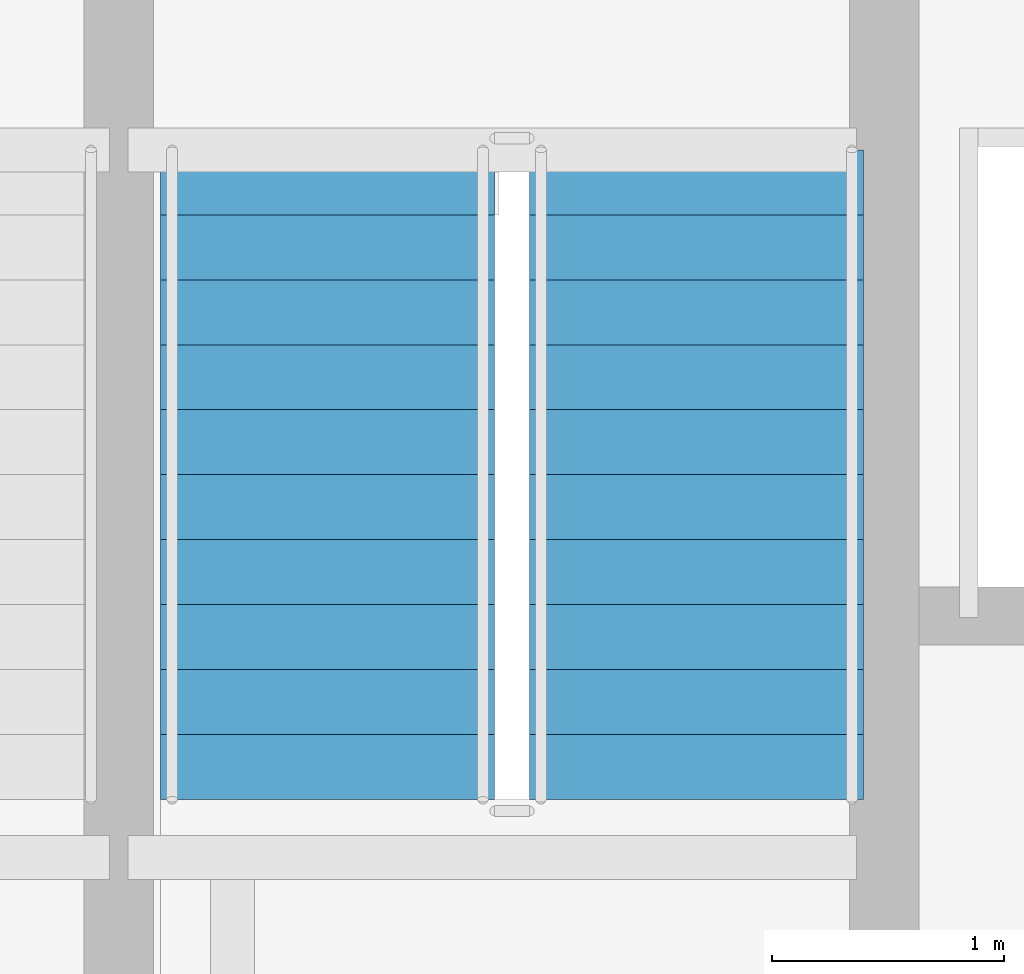
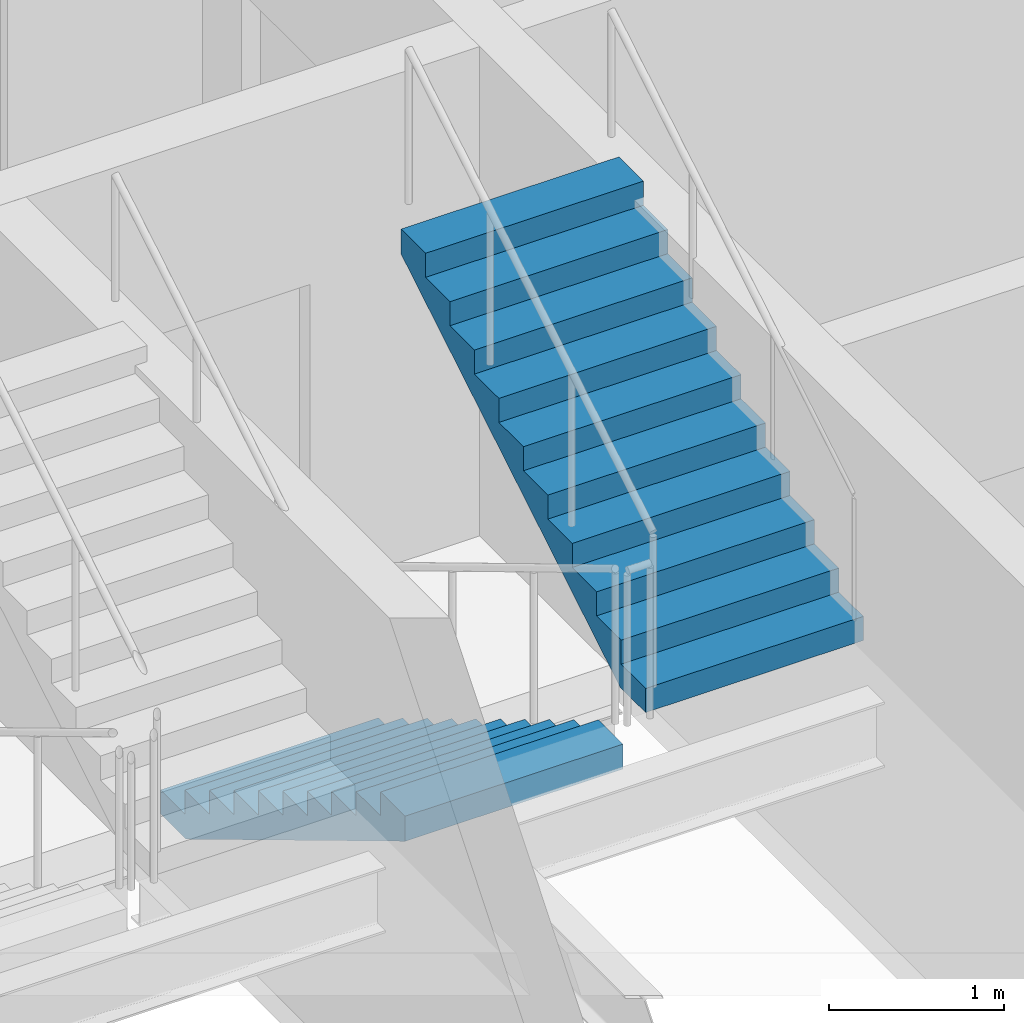
# One storey, part 22 of 28: 2 stair flights, 1 element without a shape of its own.
"""IFC4 building model written with IfcOpenShell, lengths in metres."""

from ifc_helpers import new_model, si_unit, direction, frame, origin, place, context, subcontext, project, spatial, polyline, outline, extrude, material, layer, layer_set, type_object, element, aggregate, save


model = new_model("IFC4")

# Units and contexts
model_context = context("Model", 3, precision=1e-05, world=origin(), true_north=direction((0.0, 1.0)))
body_context = subcontext(model_context, "Body", "Model", "MODEL_VIEW")
ifc_project = project(units=[si_unit("LENGTHUNIT", "METRE"), si_unit("AREAUNIT", "SQUARE_METRE"), si_unit("VOLUMEUNIT", "CUBIC_METRE"), si_unit("PLANEANGLEUNIT", "RADIAN"), si_unit("MASSUNIT", "GRAM", prefix="KILO")], contexts=[model_context])

# Site, building, storey
site_placement = place(None, origin())
site = spatial("IfcSite", under=ifc_project, at=site_placement, CompositionType="ELEMENT")
building_placement = place(site_placement, origin())
building = spatial("IfcBuilding", under=site, at=building_placement, Name="Solvaryn Broadcast Tower", CompositionType="ELEMENT")
storey_placement = place(building_placement, frame((0.0, 0.0, 217.300048828125)))
storey = spatial("IfcBuildingStorey", under=building, at=storey_placement, Name="L54", CompositionType="ELEMENT", Elevation=217.300048828125)

# Stair, stair flights
ifc_material_1 = material(Name="Concrete f'c 60 MPa", Category="concrete")
stair_type = type_object("IfcStairType", Name="ST-CORE", PredefinedType="HALF_TURN_STAIR", material=ifc_material_1)
stair_placement = place(storey_placement, origin())
stair = element("IfcStair", 1, at=stair_placement, inside=storey, type_object=stair_type, Name="L54 ST2", PredefinedType="HALF_TURN_STAIR")
ifc_material_2 = material(Name="Concrete f'c 60 MPa", Category="concrete")
ifc_layer = layer(ifc_material_2, 0.159912109375)
ifc_layer_set = layer_set([ifc_layer], Name="SF-CORE")
stair_flight_type = type_object("IfcStairFlightType", Name="SF-CORE", PredefinedType="STRAIGHT", material=ifc_layer_set)
stair_flight_1_placement = place(storey_placement, frame((15.52001953125, 35.9599609375, 0.0), z_axis=(0.0, 0.0, 1.0), x_axis=(0.0, -1.0, 0.0)))
stair_flight_1 = element("IfcStairFlight", 2, at=stair_flight_1_placement, type_object=stair_flight_type, Name="ST2 flight 1", NumberOfRisers=11, NumberOfTreads=10, PredefinedType="STRAIGHT", RiserHeight=0.168181818, TreadLength=0.28, context=body_context, shape_type="SweptSolid", body=[
    extrude(outline(polyline([(0.0, 0.0), (0.0, 0.168212890625), (0.280029296875, 0.168212890625), (0.280029296875, 0.33642578125), (0.56005859375, 0.33642578125), (0.56005859375, 0.504638671875), (0.840087890625, 0.504638671875), (0.840087890625, 0.672607421875), (1.1201171875, 0.672607421875), (1.1201171875, 0.8408203125), (1.39990234375, 0.8408203125), (1.39990234375, 1.009033203125), (1.679931640625, 1.009033203125), (1.679931640625, 1.17724609375), (1.9599609375, 1.17724609375), (1.9599609375, 1.345458984375), (2.239990234375, 1.345458984375), (2.239990234375, 1.513671875), (2.52001953125, 1.513671875), (2.52001953125, 1.681884765625), (2.800048828125, 1.681884765625), (2.800048828125, 1.85009765625), (2.800048828125, 1.5068359375), (0.291015625, 0.0), (0.0, 0.0)])), frame((0.0, 0.719970703125, 0.0), z_axis=(0.0, -1.0, 0.0), x_axis=(1.0, 0.0, 0.0)), (0.0, 0.0, 1.0), 1.43994140625),
])
stair_flight_2_placement = place(storey_placement, frame((17.110107421875, 33.159912109375, 1.849853515625), z_axis=(0.0, 0.0, 1.0), x_axis=(0.0, 1.0, 0.0)))
stair_flight_2 = element("IfcStairFlight", 3, at=stair_flight_2_placement, type_object=stair_flight_type, Name="ST2 flight 2", NumberOfRisers=11, NumberOfTreads=10, PredefinedType="STRAIGHT", RiserHeight=0.168181818, TreadLength=0.28, context=body_context, shape_type="SweptSolid", body=[
    extrude(outline(polyline([(0.0, 0.0), (0.0, 0.168212890625), (0.280029296875, 0.168212890625), (0.280029296875, 0.33642578125), (0.56005859375, 0.33642578125), (0.56005859375, 0.504638671875), (0.840087890625, 0.504638671875), (0.840087890625, 0.672607421875), (1.1201171875, 0.672607421875), (1.1201171875, 0.8408203125), (1.39990234375, 0.8408203125), (1.39990234375, 1.009033203125), (1.679931640625, 1.009033203125), (1.679931640625, 1.17724609375), (1.9599609375, 1.17724609375), (1.9599609375, 1.345458984375), (2.239990234375, 1.345458984375), (2.239990234375, 1.513671875), (2.52001953125, 1.513671875), (2.52001953125, 1.681884765625), (2.800048828125, 1.681884765625), (2.800048828125, 1.85009765625), (2.800048828125, 1.5068359375), (0.291015625, 0.0), (0.0, 0.0)])), frame((0.0, 0.719970703125, 0.0), z_axis=(0.0, -1.0, 0.0), x_axis=(1.0, 0.0, 0.0)), (0.0, 0.0, 1.0), 1.43994140625),
])
aggregate(stair, [stair_flight_1, stair_flight_2])

save(model, "model.ifc")
